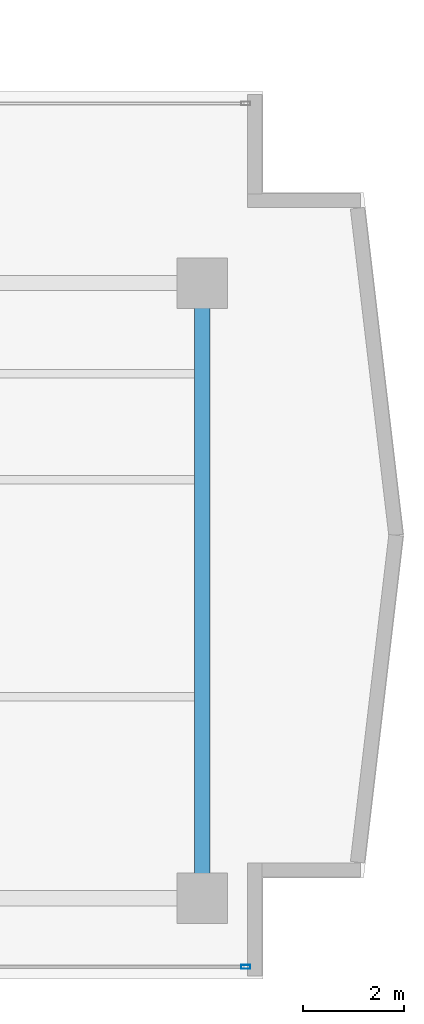
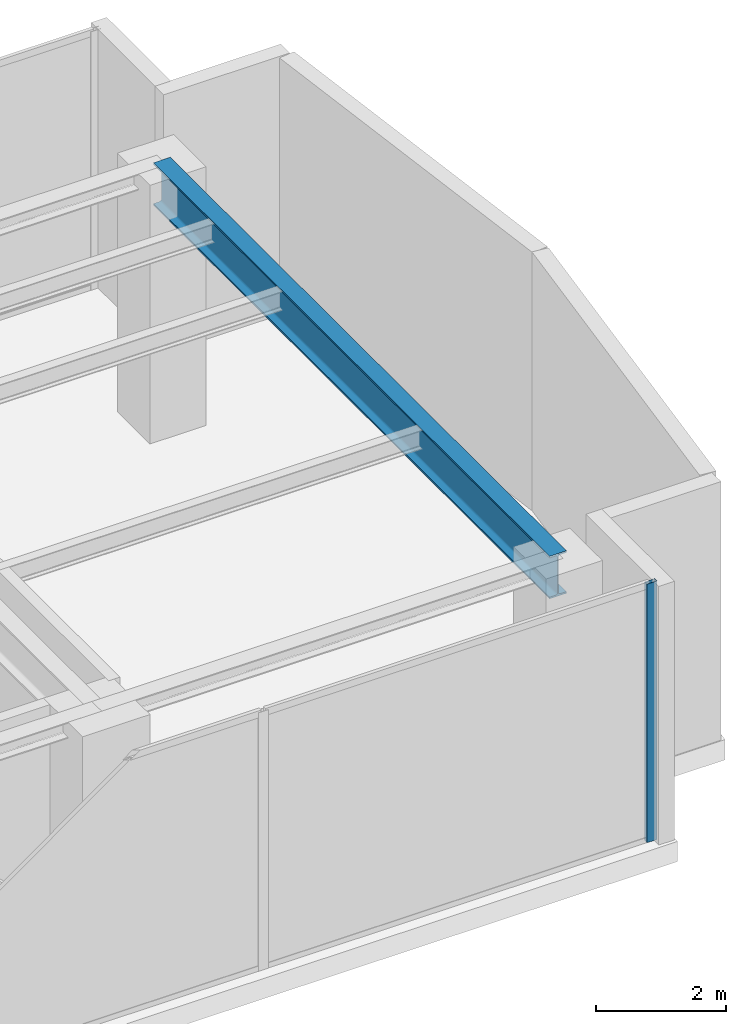
# One storey, part 19 of 36: 1 beam, 1 member, 1 element without a shape of its own.
"""IFC4 building model written with IfcOpenShell, lengths in metres."""

from ifc_helpers import new_model, si_unit, direction, frame, origin, origin_with_axes, origin_2d, place, context, subcontext, project, spatial, hollow_rectangle, i_section, extrude, source, transform, mapped, material, layer, layer_set, material_profile, profile_set, type_object, element, aggregate, save


model = new_model("IFC4")

# Units and contexts
model_context = context("Model", 3, precision=1e-05, world=origin(), true_north=direction((0.0, 1.0)))
body_context = subcontext(model_context, "Body", "Model", "MODEL_VIEW")
ifc_project = project(units=[si_unit("LENGTHUNIT", "METRE"), si_unit("AREAUNIT", "SQUARE_METRE"), si_unit("VOLUMEUNIT", "CUBIC_METRE"), si_unit("PLANEANGLEUNIT", "RADIAN"), si_unit("MASSUNIT", "GRAM", prefix="KILO")], contexts=[model_context])

# Site, building, storey
site_placement = place(None, origin())
site = spatial("IfcSite", under=ifc_project, at=site_placement, CompositionType="ELEMENT")
building_placement = place(site_placement, origin())
building = spatial("IfcBuilding", under=site, at=building_placement, Name="Kolvaren Waterfront Exchange", CompositionType="ELEMENT")
storey_placement = place(building_placement, frame((0.0, 0.0, 199.39990234375)))
storey = spatial("IfcBuildingStorey", under=building, at=storey_placement, Name="L51", CompositionType="ELEMENT", Elevation=199.39990234375)

# Beam
ifc_material_1 = material(Name="Steel S355", Category="steel")
ifc_material_profile_1 = material_profile(ifc_material_1, i_section(OverallWidth=0.300048828125, OverallDepth=0.800048828125, WebThickness=0.017578125, FlangeThickness=0.032958984375, FilletRadius=0.030029296875, at=origin_2d()), Name="HEB800")
ifc_profile_set_1 = profile_set([ifc_material_profile_1], Name="Steel S355")
beam_type = type_object("IfcBeamType", Name="STR-BM-HEB800", PredefinedType="BEAM", material=ifc_profile_set_1)
beam_placement = place(storey_placement, frame((53.800048828125, 5.199951171875, 4.460205078125), z_axis=(0.0, 1.0, 0.0), x_axis=(-1.0, 0.0, 0.0)))
element("IfcBeam", 1, at=beam_placement, inside=storey, type_object=beam_type, Name="L51 east-arm transverse girder X53", PredefinedType="BEAM", context=body_context, shape_type="SweptSolid", body=[
    extrude(i_section(OverallWidth=0.300048828125, OverallDepth=0.800048828125, WebThickness=0.017578125, FlangeThickness=0.032958984375, FilletRadius=0.030029296875, at=origin_2d()), origin(), (0.0, 0.0, 1.0), 12.199951171875),
])

# Curtain wall, member
ifc_material_2 = material(Name="Anodised dark bronze spandrel aluminium", Category="aluminium")
ifc_layer = layer(ifc_material_2, 0.219970703125, Name="Anodised dark bronze spandrel aluminium")
ifc_layer_set = layer_set([ifc_layer], Name="Anodised dark bronze spandrel aluminium")
curtain_wall_type = type_object("IfcCurtainWallType", Name="ARC-CW-SYS6", PredefinedType="USERDEFINED", material=ifc_layer_set)
curtain_wall_placement = place(storey_placement, origin())
curtain_wall = element("IfcCurtainWall", 2, at=curtain_wall_placement, inside=storey, type_object=curtain_wall_type, Name="L51 stick curtain wall CW6 (CW-L51-S)", ObjectType="STICK CURTAIN WALL", PredefinedType="USERDEFINED")
ifc_material_3 = material(Name="Anodised bronze aluminium 6063-T6", Category="aluminium")
ifc_material_profile_2 = material_profile(ifc_material_3, hollow_rectangle(XDim=0.074951171875, YDim=0.179931640625, WallThickness=0.00439453125, at=origin_2d()), Name="ALU-MUL-180x75x4.5")
ifc_profile_set_2 = profile_set([ifc_material_profile_2], Name="Anodised bronze aluminium 6063-T6")
member_type = type_object("IfcMemberType", Name="ARC-CWM-180", PredefinedType="MULLION", material=ifc_profile_set_2)
shared_shape = source(origin_with_axes(), body_context, "Body", "SweptSolid", [
    extrude(hollow_rectangle(XDim=0.074951171875, YDim=0.179931640625, WallThickness=0.00439453125, at=origin_2d()), origin(), (0.0, 0.0, 1.0), 4.860107421875),
])
member_placement = place(storey_placement, frame((54.66259765625, 3.840087890625, 0.0), z_axis=(0.0, 0.0, 1.0), x_axis=(0.0, 1.0, 0.0)))
member = element("IfcMember", 3, at=member_placement, type_object=member_type, Name="CW6 mullion 8", PredefinedType="MULLION", context=body_context, shape_type="MappedRepresentation", body=[
    mapped(shared_shape, transform((0.0, 0.0, 0.0), x_axis=(1.0, 0.0, 0.0), y_axis=(0.0, 1.0, 0.0), z_axis=(0.0, 0.0, 1.0), scale=1.0)),
])
aggregate(curtain_wall, [member])

save(model, "model.ifc")
